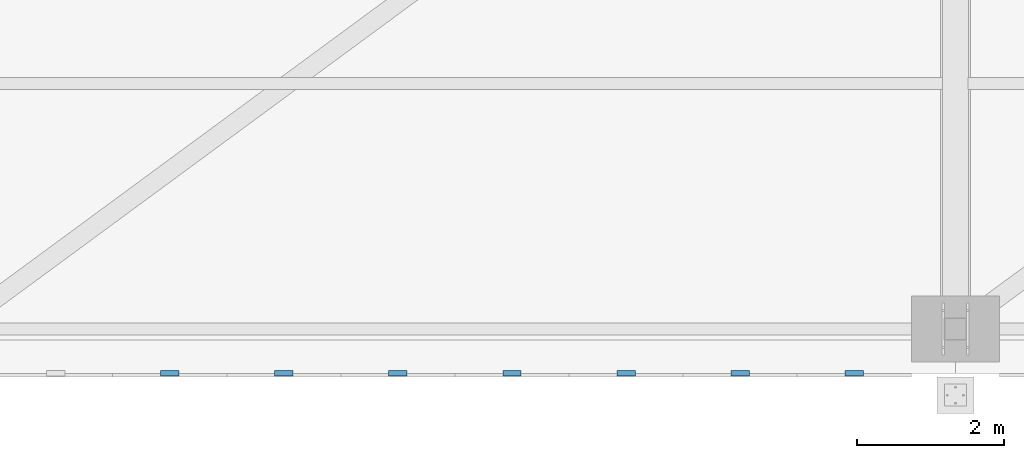
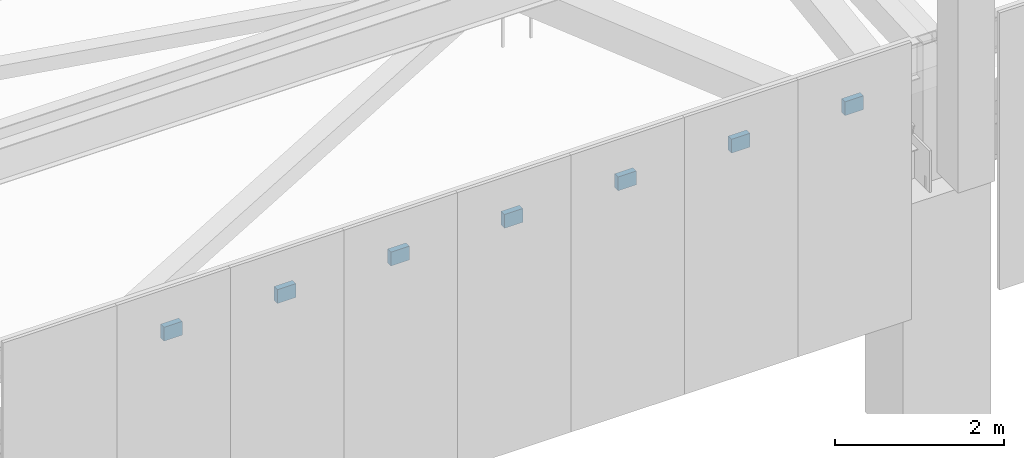
# One storey, part 136 of 278: 7 discrete accessories.
"""IFC4 building model written with IfcOpenShell, lengths in metres."""

from ifc_helpers import new_model, si_unit, direction, frame, origin, origin_2d, place, context, subcontext, project, spatial, rectangle, extrude, material, layer, layer_set, type_object, element, save


model = new_model("IFC4")

# Units and contexts
model_context = context("Model", 3, precision=1e-05, world=origin(), true_north=direction((0.0, 1.0)))
body_context = subcontext(model_context, "Body", "Model", "MODEL_VIEW")
ifc_project = project(units=[si_unit("LENGTHUNIT", "METRE"), si_unit("AREAUNIT", "SQUARE_METRE"), si_unit("VOLUMEUNIT", "CUBIC_METRE"), si_unit("PLANEANGLEUNIT", "RADIAN"), si_unit("MASSUNIT", "GRAM", prefix="KILO")], contexts=[model_context])

# Site, building, storey
site_placement = place(None, origin())
site = spatial("IfcSite", under=ifc_project, at=site_placement, CompositionType="ELEMENT")
building_placement = place(site_placement, origin())
building = spatial("IfcBuilding", under=site, at=building_placement, Name="Ogive Plaza Stadium", CompositionType="ELEMENT")
storey_placement = place(building_placement, frame((0.0, 0.0, 29.0)))
storey = spatial("IfcBuildingStorey", under=building, at=storey_placement, Name="Roof", CompositionType="ELEMENT", Elevation=29.0)

# Discrete accessories
ifc_material = material(Name="Steel ASTM A572 Grade 50", Category="steel")
ifc_layer = layer(ifc_material, 0.080078125)
ifc_layer_set = layer_set([ifc_layer], Name="Steel ASTM A572 Grade 50")
discrete_accessory_type = type_object("IfcDiscreteAccessoryType", Name="Tracery screen bracket 250x200", PredefinedType="BRACKET", material=ifc_layer_set)
for number, where, z_axis, x_axis, name in (
    (1, (5.425048828125, -103.102294921875, 5.25), (0.0, 0.0, 1.0), (-1.0, 0.0, 0.0), "TRACERY SCREEN BRACKET B14 1"),
    (2, (3.875, -103.102294921875, 5.25), (0.0, 0.0, 1.0), (-1.0, 0.0, 0.0), "TRACERY SCREEN BRACKET B14 2"),
    (3, (2.324951171875, -103.102294921875, 5.25), (0.0, 0.0, 1.0), (-1.0, 0.0, 0.0), "TRACERY SCREEN BRACKET B14 3"),
    (4, (0.77490234375, -103.102294921875, 5.25), (0.0, 0.0, 1.0), (-1.0, 0.0, 0.0), "TRACERY SCREEN BRACKET B14 4"),
    (5, (-0.77490234375, -103.102294921875, 5.25), (0.0, 0.0, 1.0), (-1.0, 0.0, 0.0), "TRACERY SCREEN BRACKET B14 5"),
    (6, (-2.324951171875, -103.102294921875, 5.25), (0.0, 0.0, 1.0), (-1.0, 0.0, 0.0), "TRACERY SCREEN BRACKET B14 6"),
    (7, (-3.875, -103.102294921875, 5.25), (0.0, 0.0, 1.0), (-1.0, 0.0, 0.0), "TRACERY SCREEN BRACKET B14 7"),
):
    element("IfcDiscreteAccessory", number, at=place(storey_placement, frame(where, z_axis=z_axis, x_axis=x_axis)), inside=storey, type_object=discrete_accessory_type, Name=name, PredefinedType="BRACKET", context=body_context, shape_type="SweptSolid", body=[
        extrude(rectangle(XDim=0.25, YDim=0.080078125, at=origin_2d()), origin(), (0.0, 0.0, 1.0), 0.199951171875),
    ])

save(model, "model.ifc")
